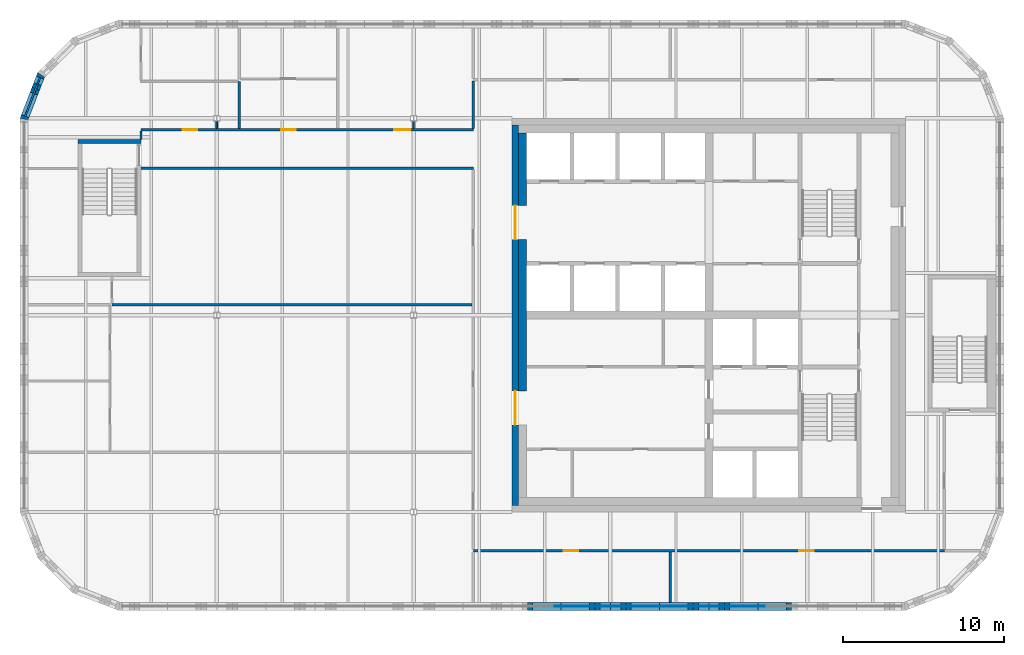
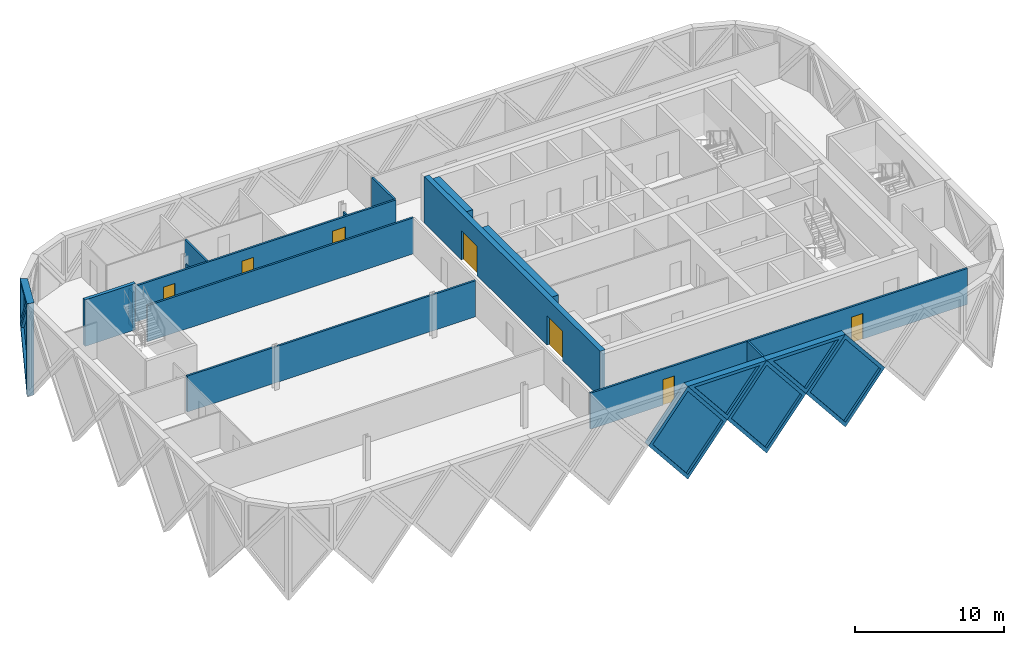
# One storey, part 5 of 12: 21 walls, 7 doors, 7 plates, 14 openings.
"""IFC4 building model written with IfcOpenShell, lengths in metres."""

import ifcopenshell
import ifcopenshell.guid

model = None  # the IFC model being written
_history = None  # IfcOwnerHistory: only IFC2X3 demands one
_inside = {}  # id of a spatial element -> (the spatial element, [elements in it])
_under = {}  # id of a project, library or spatial element -> (it, [spatial elements below it])
_declared = {}  # id of a project -> (the project, [libraries it declares])
_typed = {}  # id of a type object -> (the type object, [elements of that type])
_made_of = {}  # id of a material, layer set ... -> (it, [elements and type objects made of it])


def new_model(schema):
    """Start an empty IFC model of exactly this schema.

    Asked for "IFC4X3", IfcOpenShell would pick the latest addendum, in which some entities
    have other attributes; the version numbers below select the first issue.
    IFC2X3 requires an IfcOwnerHistory on every rooted entity: one is made here for all.
    """
    global model, _history
    if schema == "IFC4X3":
        model = ifcopenshell.file(schema_version=(4, 3, 0, 0))
    else:
        model = ifcopenshell.file(schema=schema)
    _inside.clear()
    _under.clear()
    _declared.clear()
    _typed.clear()
    _made_of.clear()
    _history = None
    if model.schema == "IFC2X3":
        org = make("IfcOrganization", Name="unknown")
        user = make(
            "IfcPersonAndOrganization",
            ThePerson=make("IfcPerson", FamilyName="unknown"),
            TheOrganization=org,
        )
        app = make(
            "IfcApplication",
            ApplicationDeveloper=org,
            Version="unknown",
            ApplicationFullName="unknown",
            ApplicationIdentifier="unknown",
        )
        _history = make(
            "IfcOwnerHistory",
            OwningUser=user,
            OwningApplication=app,
            ChangeAction="ADDED",
            CreationDate=0,
        )
    return model


def make(cls, **values):
    """One entity of the class cls with the attributes given. An attribute that is None is left unset."""
    return model.create_entity(
        cls, **{name: value for name, value in values.items() if value is not None}
    )


def rooted(cls, **values):
    """An entity with a GlobalId (a new one), such as an element, a storey or a relation."""
    return make(cls, GlobalId=ifcopenshell.guid.new(), OwnerHistory=_history, **values)


def si_unit(unit_type, name, prefix=None):
    """IfcSIUnit, for example si_unit("LENGTHUNIT", "METRE", prefix="MILLI")."""
    return make("IfcSIUnit", UnitType=unit_type, Prefix=prefix, Name=name)


def assignment(units):
    """IfcUnitAssignment: the units of a project."""
    return None if units is None else make("IfcUnitAssignment", Units=units)


def point(xyz):
    """IfcCartesianPoint."""
    return None if xyz is None else make("IfcCartesianPoint", Coordinates=xyz)


def direction(xyz):
    """IfcDirection."""
    return None if xyz is None else make("IfcDirection", DirectionRatios=xyz)


def frame(location, z_axis=None, x_axis=None):
    """IfcAxis2Placement3D, a coordinate frame: its origin and axes. An axis left out is left unset."""
    return make(
        "IfcAxis2Placement3D",
        Location=point(location),
        Axis=direction(z_axis),
        RefDirection=direction(x_axis),
    )


def frame_2d(location, x_axis=None):
    """IfcAxis2Placement2D, a coordinate frame in the plane: its origin and x axis."""
    return make(
        "IfcAxis2Placement2D", Location=point(location), RefDirection=direction(x_axis)
    )


def origin():
    """The frame at (0, 0, 0) with its axes left unset."""
    return frame((0.0, 0.0, 0.0))


def place(relative_to, where):
    """IfcLocalPlacement: puts the frame where relative to a parent placement (None: the world)."""
    return make(
        "IfcLocalPlacement", PlacementRelTo=relative_to, RelativePlacement=where
    )


def context(
    kind, dimensions, precision=None, world=None, true_north=None, identifier=None
):
    """IfcGeometricRepresentationContext, for example the 3D "Model" context."""
    return make(
        "IfcGeometricRepresentationContext",
        ContextIdentifier=identifier,
        ContextType=kind,
        CoordinateSpaceDimension=dimensions,
        Precision=precision,
        WorldCoordinateSystem=world,
        TrueNorth=true_north,
    )


def subcontext(parent, identifier, kind, view, scale=None):
    """IfcGeometricRepresentationSubContext, for example "Body" below "Model"."""
    return make(
        "IfcGeometricRepresentationSubContext",
        ContextIdentifier=identifier,
        ContextType=kind,
        ParentContext=parent,
        TargetScale=scale,
        TargetView=view,
    )


def project(units=None, contexts=None):
    """IfcProject with its units and contexts."""
    return rooted(
        "IfcProject",
        Name="project",
        RepresentationContexts=contexts,
        UnitsInContext=assignment(units),
    )


def spatial(cls, under=None, at=None, **own):
    """A site, building, storey or space (cls), placed at a placement, below another one or the project."""
    s = rooted(cls, ObjectPlacement=at, **own)
    if under is not None:
        _under.setdefault(under.id(), (under, []))[1].append(s)
    return s


def polyline(points):
    """IfcPolyline through the points."""
    return make("IfcPolyline", Points=[point(p) for p in points])


def profile(cls, at=None, kind="AREA", **sizes):
    """A parametric profile (cls). Its sizes go by their IFC names, for example OverallWidth=200.0."""
    return make(cls, ProfileType=kind, Position=at, **sizes)


def rectangle(**sizes):
    """IfcRectangleProfileDef."""
    return profile("IfcRectangleProfileDef", **sizes)


def outline(outer, holes=None, kind="AREA"):
    """IfcArbitraryClosedProfileDef: a profile drawn as a closed curve; with holes, ...WithVoids."""
    if holes is None:
        return make("IfcArbitraryClosedProfileDef", ProfileType=kind, OuterCurve=outer)
    return make(
        "IfcArbitraryProfileDefWithVoids",
        ProfileType=kind,
        OuterCurve=outer,
        InnerCurves=holes,
    )


def extrude(swept, where, along, depth):
    """IfcExtrudedAreaSolid: the profile swept, set in the frame where, extruded along a direction by depth."""
    return make(
        "IfcExtrudedAreaSolid",
        SweptArea=swept,
        Position=where,
        ExtrudedDirection=direction(along),
        Depth=depth,
    )


def faces_of(points, faces, orient=None, outer=None):
    """IfcFace entities. A face is a list of loops; a loop is a list of indices into points, from 0.

    orient and outer hold one flag for each loop. By default every Orientation is true, the
    first loop of a face is its IfcFaceOuterBound and the others are IfcFaceBound.
    """
    made = []
    for i, loops in enumerate(faces):
        bounds = []
        for j, loop in enumerate(loops):
            is_outer = j == 0 if outer is None else outer[i][j]
            bounds.append(
                make(
                    "IfcFaceOuterBound" if is_outer else "IfcFaceBound",
                    Bound=make("IfcPolyLoop", Polygon=[points[k] for k in loop]),
                    Orientation=True if orient is None else orient[i][j],
                )
            )
        made.append(make("IfcFace", Bounds=bounds))
    return made


def faceted_brep(points, faces, orient=None, outer=None, voids=None):
    """IfcFacetedBrep: a solid bounded by flat faces; with voids (closed shells), ...WithVoids."""
    shared = [point(p) for p in points]
    hull = make("IfcClosedShell", CfsFaces=faces_of(shared, faces, orient, outer))
    if voids is None:
        return make("IfcFacetedBrep", Outer=hull)
    return make(
        "IfcFacetedBrepWithVoids",
        Outer=hull,
        Voids=[
            make(cls, CfsFaces=faces_of(shared, fs, o, b)) for cls, fs, o, b in voids
        ],
    )


def shape(context_of_items, identifier, shape_type, items):
    """IfcShapeRepresentation: the items that make up one representation, for example the "Body"."""
    return make(
        "IfcShapeRepresentation",
        ContextOfItems=context_of_items,
        RepresentationIdentifier=identifier,
        RepresentationType=shape_type,
        Items=items,
    )


def source(mapping_origin, context_of_items, identifier, shape_type, items):
    """IfcRepresentationMap: a shape defined once, which mapped items show again and again."""
    return make(
        "IfcRepresentationMap",
        MappingOrigin=mapping_origin,
        MappedRepresentation=shape(context_of_items, identifier, shape_type, items),
    )


def transform(
    local_origin,
    x_axis=None,
    y_axis=None,
    z_axis=None,
    scale=None,
    scale2=None,
    scale3=None,
    uniform=True,
):
    """IfcCartesianTransformationOperator3D, or its non-uniform kind. x_axis, y_axis, z_axis: its Axis1, 2, 3."""
    if uniform:
        return make(
            "IfcCartesianTransformationOperator3D",
            Axis1=direction(x_axis),
            Axis2=direction(y_axis),
            LocalOrigin=point(local_origin),
            Scale=scale,
            Axis3=direction(z_axis),
        )
    return make(
        "IfcCartesianTransformationOperator3DnonUniform",
        Axis1=direction(x_axis),
        Axis2=direction(y_axis),
        LocalOrigin=point(local_origin),
        Scale=scale,
        Axis3=direction(z_axis),
        Scale2=scale2,
        Scale3=scale3,
    )


def mapped(mapping_source, mapping_target):
    """IfcMappedItem: shows the shape of a source again, moved by a transform."""
    return make(
        "IfcMappedItem", MappingSource=mapping_source, MappingTarget=mapping_target
    )


def material(Name=None, Category=None):
    """IfcMaterial."""
    return make("IfcMaterial", Name=Name, Category=Category)


def layer(
    of_material, thickness, ventilated=None, Name=None, Category=None, Priority=None
):
    """IfcMaterialLayer: one layer of a wall or slab, of a material (None: an air gap)."""
    return make(
        "IfcMaterialLayer",
        Material=of_material,
        LayerThickness=thickness,
        IsVentilated=ventilated,
        Name=Name,
        Category=Category,
        Priority=Priority,
    )


def layer_set(layers, Name=None):
    """IfcMaterialLayerSet."""
    return make("IfcMaterialLayerSet", MaterialLayers=layers, LayerSetName=Name)


def made_of(thing, what):
    """Note that an element or type object is made of a material, layer set ...; save() writes the relation."""
    if what is not None:
        _made_of.setdefault(what.id(), (what, []))[1].append(thing)
    return thing


def type_object(cls, material=None, **own):
    """A type object (cls), such as IfcWallType, which elements share."""
    return made_of(rooted(cls, **own), material)


def element(
    cls,
    number,
    at=None,
    inside=None,
    cuts=None,
    type_object=None,
    material=None,
    context=None,
    identifier="Body",
    shape_type=None,
    held_by="IfcProductDefinitionShape",
    body=None,
    shapes=None,
    **own,
):
    """One element of the class cls, such as IfcWall. Its Tag is "e" and its number.

    at: its placement. inside: the storey or other place that contains it. cuts: it is an
    opening in that element (IfcRelVoidsElement). A single representation is given by context,
    identifier, shape_type and body (its items); several are given by shapes. held_by: the class
    of the entity that holds the representations. save() writes the other relations.
    """
    e = rooted(cls, Tag="e%d" % number, ObjectPlacement=at, **own)
    if body is not None:
        shapes = [shape(context, identifier, shape_type, body)]
    if shapes is not None:
        e.Representation = make(held_by, Representations=shapes)
    if inside is not None:
        _inside.setdefault(inside.id(), (inside, []))[1].append(e)
    if cuts is not None:
        rooted(
            "IfcRelVoidsElement", RelatingBuildingElement=cuts, RelatedOpeningElement=e
        )
    if type_object is not None:
        _typed.setdefault(type_object.id(), (type_object, []))[1].append(e)
    return made_of(e, material)


def fill(opening, filler):
    """IfcRelFillsElement: the door or window that sits in an opening."""
    return rooted(
        "IfcRelFillsElement",
        RelatingOpeningElement=opening,
        RelatedBuildingElement=filler,
    )


def aggregate(whole, parts):
    """IfcRelAggregates: a whole, such as a stair, and the parts it consists of."""
    return rooted("IfcRelAggregates", RelatingObject=whole, RelatedObjects=parts)


def save(model, path):
    """Write the relations noted so far, then the file.

    IfcRelAggregates (storeys below a building ...), IfcRelContainedInSpatialStructure (elements
    in a storey), IfcRelDefinesByType, IfcRelAssociatesMaterial and IfcRelDeclares: one each for
    every whole, place, type object, material and project.
    """
    for whole, parts in _under.values():
        aggregate(whole, parts)
    for where, things in _inside.values():
        rooted(
            "IfcRelContainedInSpatialStructure",
            RelatedElements=things,
            RelatingStructure=where,
        )
    for kind, things in _typed.values():
        rooted("IfcRelDefinesByType", RelatedObjects=things, RelatingType=kind)
    for what, things in _made_of.values():
        rooted("IfcRelAssociatesMaterial", RelatedObjects=things, RelatingMaterial=what)
    for by, libraries in _declared.values():
        rooted("IfcRelDeclares", RelatingContext=by, RelatedDefinitions=libraries)
    model.write(path)


model = new_model("IFC4")

# Units and contexts
model_context = context("Model", 3, precision=1e-05, world=origin(), true_north=direction((0.0, 1.0)))
body_context = subcontext(model_context, "Body", "Model", "MODEL_VIEW")
ifc_project = project(units=[si_unit("LENGTHUNIT", "METRE"), si_unit("AREAUNIT", "SQUARE_METRE"), si_unit("VOLUMEUNIT", "CUBIC_METRE"), si_unit("PLANEANGLEUNIT", "RADIAN"), si_unit("MASSUNIT", "GRAM", prefix="KILO")], contexts=[model_context])

# Site, building, storey
site_placement = place(None, origin())
site = spatial("IfcSite", under=ifc_project, at=site_placement, CompositionType="ELEMENT")
building_placement = place(site_placement, origin())
building = spatial("IfcBuilding", under=site, at=building_placement, Name="Tessera Gate Towers", CompositionType="ELEMENT")
storey_placement = place(building_placement, frame((0.0, 0.0, 255.89990234375)))
storey = spatial("IfcBuildingStorey", under=building, at=storey_placement, Name="L64", CompositionType="ELEMENT", Elevation=255.89990234375)

# Wall
ifc_material_1 = material(Name="Concrete C40/50", Category="concrete")
ifc_layer_1 = layer(ifc_material_1, 0.25)
ifc_layer_set_1 = layer_set([ifc_layer_1], Name="CORE ENCLOSURE WALL 250")
wall_type_1 = type_object("IfcWallType", Name="CORE ENCLOSURE WALL 250", PredefinedType="SOLIDWALL", material=ifc_layer_set_1)
wall_1_placement = place(storey_placement, frame((3.60009765625, 47.375, 0.0), z_axis=(0.0, 0.0, 1.0), x_axis=(1.0, 0.0, 0.0)))
element("IfcWall", 1, at=wall_1_placement, inside=storey, type_object=wall_type_1, Name="L64 ST3 enclosure wall", PredefinedType="SOLIDWALL", context=body_context, shape_type="SweptSolid", body=[
    extrude(rectangle(XDim=3.89990234375, YDim=0.25, at=frame_2d((1.949951171875, 0.0))), origin(), (0.0, 0.0, 1.0), 3.800048828125),
])

# Wall, openings, doors
ifc_material_2 = material(Name="Concrete C40/50", Category="concrete")
ifc_layer_2 = layer(ifc_material_2, 0.39990234375)
ifc_layer_set_2 = layer_set([ifc_layer_2], Name="CORE SHEAR WALL 400 C40/50")
wall_type_2 = type_object("IfcWallType", Name="CORE SHEAR WALL 400 C40/50", PredefinedType="SHEAR", material=ifc_layer_set_2)
wall_2_placement = place(storey_placement, frame((30.699951171875, 24.800048828125, 0.0), z_axis=(0.0, 0.0, 1.0), x_axis=(0.0, 1.0, 0.0)))
wall_2 = element("IfcWall", 2, at=wall_2_placement, inside=storey, type_object=wall_type_2, Name="Core wall W L64", PredefinedType="SHEAR", context=body_context, shape_type="SweptSolid", body=[
    extrude(rectangle(XDim=23.599853515625, YDim=0.39990234375, at=frame_2d((11.7998046875, 0.0))), origin(), (0.0, 0.0, 1.0), 3.800048828125),
])
shared_shape_1 = source(origin(), body_context, "Body", "SweptSolid", [
    extrude(rectangle(XDim=2.10009765625, YDim=2.39990234375, at=frame_2d((1.050048828125, 1.199951171875))), frame((0.0, 0.2099609375, 0.0), z_axis=(0.0, -1.0, 0.0), x_axis=(1.0, 0.0, 0.0)), (0.0, 0.0, 1.0), 0.419921875),
])
opening_1_placement = place(wall_2_placement, frame((5.0, 0.0, 0.0)))
opening_1 = element("IfcOpeningElement", 3, at=opening_1_placement, cuts=wall_2, Name="Opening DD-T1-38-02", PredefinedType="OPENING", context=body_context, shape_type="MappedRepresentation", body=[
    mapped(shared_shape_1, transform((0.0, 0.0, 0.0), scale=1.0)),
])
opening_2_placement = place(wall_2_placement, frame((16.5, 0.0, 0.0)))
opening_2 = element("IfcOpeningElement", 4, at=opening_2_placement, cuts=wall_2, Name="Opening DD-T1-38-03", PredefinedType="OPENING", context=body_context, shape_type="MappedRepresentation", body=[
    mapped(shared_shape_1, transform((0.0, 0.0, 0.0), scale=1.0)),
])
ifc_material_3 = material(Name="Hollow steel fire door", Category="steel")
door_type_1 = type_object("IfcDoorType", Name="CORE DOOR DD 2100x2400", OperationType="NOTDEFINED", PredefinedType="DOOR", material=ifc_material_3)
shared_shape_2 = source(origin(), body_context, "Body", "SweptSolid", [
    extrude(rectangle(XDim=2.10009765625, YDim=2.39990234375, at=frame_2d((1.050048828125, 1.199951171875))), frame((0.0, 0.02490234375, 0.0), z_axis=(0.0, -1.0, 0.0), x_axis=(1.0, 0.0, 0.0)), (0.0, 0.0, 1.0), 0.050048828125),
])
door_1_placement = place(opening_1_placement, origin())
door_1 = element("IfcDoor", 5, at=door_1_placement, inside=storey, type_object=door_type_1, Name="Core entrance door", OperationType="DOUBLE_DOOR_SINGLE_SWING", OverallHeight=2.39990234375, OverallWidth=2.10009765625, PredefinedType="DOOR", context=body_context, shape_type="MappedRepresentation", body=[
    mapped(shared_shape_2, transform((0.0, 0.0, 0.0), scale=1.0)),
])
fill(opening_1, door_1)
door_2_placement = place(opening_2_placement, origin())
door_2 = element("IfcDoor", 6, at=door_2_placement, inside=storey, type_object=door_type_1, Name="Core entrance door", OperationType="DOUBLE_DOOR_SINGLE_SWING", OverallHeight=2.39990234375, OverallWidth=2.10009765625, PredefinedType="DOOR", context=body_context, shape_type="MappedRepresentation", body=[
    mapped(shared_shape_2, transform((0.0, 0.0, 0.0), scale=1.0)),
])
fill(opening_2, door_2)

# Walls
ifc_material_4 = material(Name="Concrete C40/50", Category="concrete")
ifc_layer_3 = layer(ifc_material_4, 0.5)
ifc_layer_set_3 = layer_set([ifc_layer_3], Name="CORE WALL THICKENING 500")
wall_type_3 = type_object("IfcWallType", Name="CORE WALL THICKENING 500", PredefinedType="SOLIDWALL", material=ifc_layer_set_3)
wall_3_placement = place(storey_placement, frame((31.14990234375, 31.89990234375, 0.0), z_axis=(0.0, 0.0, 1.0), x_axis=(0.0, 1.0, 0.0)))
element("IfcWall", 7, at=wall_3_placement, inside=storey, type_object=wall_type_3, Name="Core wall thickening W L64", PredefinedType="SOLIDWALL", context=body_context, shape_type="SweptSolid", body=[
    extrude(rectangle(XDim=9.400146484375, YDim=0.5, at=frame_2d((4.7001953125, 0.0))), origin(), (0.0, 0.0, 1.0), 3.800048828125),
])
wall_4_placement = place(storey_placement, frame((31.14990234375, 43.39990234375, 0.0), z_axis=(0.0, 0.0, 1.0), x_axis=(0.0, 1.0, 0.0)))
element("IfcWall", 8, at=wall_4_placement, inside=storey, type_object=wall_type_3, Name="Core wall thickening W L64", PredefinedType="SOLIDWALL", context=body_context, shape_type="SweptSolid", body=[
    extrude(rectangle(XDim=4.5, YDim=0.5, at=frame_2d((2.25, 0.0))), origin(), (0.0, 0.0, 1.0), 3.800048828125),
])

# Wall, openings, doors
ifc_material_5 = material(Name="Gypsum board on steel studs, mineral wool", Category="steel")
ifc_layer_4 = layer(ifc_material_5, 0.14990234375)
ifc_layer_set_4 = layer_set([ifc_layer_4], Name="CORRIDOR WALL 150")
wall_type_4 = type_object("IfcWallType", Name="CORRIDOR WALL 150", PredefinedType="PARTITIONING", material=ifc_layer_set_4)
wall_5_placement = place(storey_placement, frame((57.300048828125, 22.0, 0.0), z_axis=(0.0, 0.0, 1.0), x_axis=(-1.0, 0.0, 0.0)))
wall_5 = element("IfcWall", 9, at=wall_5_placement, inside=storey, type_object=wall_type_4, Name="T1-L64-PW-003", PredefinedType="PARTITIONING", context=body_context, shape_type="SweptSolid", body=[
    extrude(rectangle(XDim=29.199951171875, YDim=0.14990234375, at=frame_2d((14.60009765625, 0.0))), origin(), (0.0, 0.0, 1.0), 2.947021484375),
])
shared_shape_3 = source(origin(), body_context, "Body", "SweptSolid", [
    extrude(rectangle(XDim=0.89990234375, YDim=2.10009765625, at=frame_2d((0.449951171875, 1.050048828125))), frame((0.0, 0.0849609375, 0.0), z_axis=(0.0, -1.0, 0.0), x_axis=(1.0, 0.0, 0.0)), (0.0, 0.0, 1.0), 0.169921875),
])
opening_3_placement = place(wall_5_placement, frame((22.699951171875, 0.0, 0.0)))
opening_3 = element("IfcOpeningElement", 10, at=opening_3_placement, cuts=wall_5, Name="Opening D890FD60-A22-07", PredefinedType="OPENING", context=body_context, shape_type="MappedRepresentation", body=[
    mapped(shared_shape_3, transform((0.0, 0.0, 0.0), scale=1.0)),
])
opening_4_placement = place(wall_5_placement, frame((8.10009765625, 0.0, 0.0)))
opening_4 = element("IfcOpeningElement", 11, at=opening_4_placement, cuts=wall_5, Name="Opening D890FD60-A22-08", PredefinedType="OPENING", context=body_context, shape_type="MappedRepresentation", body=[
    mapped(shared_shape_3, transform((0.0, 0.0, 0.0), scale=1.0)),
])
ifc_material_6 = material(Name="Timber door leaf in steel frame", Category="steel")
door_type_2 = type_object("IfcDoorType", Name="CORRIDOR DOOR 900 FD60", OperationType="NOTDEFINED", PredefinedType="DOOR", material=ifc_material_6)
shared_shape_4 = source(origin(), body_context, "Body", "SweptSolid", [
    extrude(rectangle(XDim=0.89990234375, YDim=2.10009765625, at=frame_2d((0.449951171875, 1.050048828125))), frame((0.0, 0.02490234375, 0.0), z_axis=(0.0, -1.0, 0.0), x_axis=(1.0, 0.0, 0.0)), (0.0, 0.0, 1.0), 0.050048828125),
])
door_3_placement = place(opening_3_placement, origin())
door_3 = element("IfcDoor", 12, at=door_3_placement, inside=storey, type_object=door_type_2, Name="T1-L64-PD-014", OperationType="SINGLE_SWING_RIGHT", OverallHeight=2.10009765625, OverallWidth=0.89990234375, PredefinedType="DOOR", context=body_context, shape_type="MappedRepresentation", body=[
    mapped(shared_shape_4, transform((0.0, 0.0, 0.0), scale=1.0)),
])
fill(opening_3, door_3)
door_4_placement = place(opening_4_placement, origin())
door_4 = element("IfcDoor", 13, at=door_4_placement, inside=storey, type_object=door_type_2, Name="T1-L64-PD-015", OperationType="SINGLE_SWING_RIGHT", OverallHeight=2.10009765625, OverallWidth=0.89990234375, PredefinedType="DOOR", context=body_context, shape_type="MappedRepresentation", body=[
    mapped(shared_shape_4, transform((0.0, 0.0, 0.0), scale=1.0)),
])
fill(opening_4, door_4)

# Walls
wall_6_placement = place(storey_placement, frame((7.5, 45.699951171875, 0.0), z_axis=(0.0, 0.0, 1.0), x_axis=(1.0, 0.0, 0.0)))
element("IfcWall", 14, at=wall_6_placement, inside=storey, type_object=wall_type_4, Name="T1-L64-PW-015", PredefinedType="PARTITIONING", context=body_context, shape_type="SweptSolid", body=[
    extrude(rectangle(XDim=20.60009765625, YDim=0.14990234375, at=frame_2d((10.300048828125, 0.0))), origin(), (0.0, 0.0, 1.0), 2.947021484375),
])
wall_7_placement = place(storey_placement, frame((7.5, 47.5, 0.0), z_axis=(0.0, 0.0, 1.0), x_axis=(0.0, 1.0, 0.0)))
element("IfcWall", 15, at=wall_7_placement, inside=storey, type_object=wall_type_4, Name="T1-L64-PW-016", PredefinedType="PARTITIONING", context=body_context, shape_type="SweptSolid", body=[
    extrude(rectangle(XDim=0.52392578125, YDim=0.14990234375, at=frame_2d((0.261962890625, 0.0))), origin(), (0.0, 0.0, 1.0), 2.947021484375),
])

# Wall, openings, doors
wall_8_placement = place(storey_placement, frame((7.5, 48.10009765625, 0.0), z_axis=(0.0, 0.0, 1.0), x_axis=(1.0, 0.0, 0.0)))
wall_8 = element("IfcWall", 16, at=wall_8_placement, inside=storey, type_object=wall_type_4, Name="T1-L64-PW-017", PredefinedType="PARTITIONING", context=body_context, shape_type="SweptSolid", body=[
    extrude(rectangle(XDim=20.60009765625, YDim=0.14990234375, at=frame_2d((10.300048828125, 0.0))), origin(), (0.0, 0.0, 1.0), 2.947021484375),
])
opening_5_placement = place(wall_8_placement, frame((8.700927734375, 0.0, 0.0)))
opening_5 = element("IfcOpeningElement", 17, at=opening_5_placement, cuts=wall_8, Name="Opening D890FD60-A22-01", PredefinedType="OPENING", context=body_context, shape_type="MappedRepresentation", body=[
    mapped(shared_shape_3, transform((0.0, 0.0, 0.0), scale=1.0)),
])
opening_6_placement = place(wall_8_placement, frame((2.60009765625, 0.0, 0.0)))
opening_6 = element("IfcOpeningElement", 18, at=opening_6_placement, cuts=wall_8, Name="Opening D890FD60-A22-02", PredefinedType="OPENING", context=body_context, shape_type="MappedRepresentation", body=[
    mapped(shared_shape_3, transform((0.0, 0.0, 0.0), scale=1.0)),
])
shared_shape_5 = source(origin(), body_context, "Body", "SweptSolid", [
    extrude(rectangle(XDim=1.0, YDim=2.10009765625, at=frame_2d((0.5, 1.050048828125))), frame((0.0, 0.0849609375, 0.0), z_axis=(0.0, -1.0, 0.0), x_axis=(1.0, 0.0, 0.0)), (0.0, 0.0, 1.0), 0.169921875),
])
opening_7_placement = place(wall_8_placement, frame((15.699951171875, 0.0, 0.0)))
opening_7 = element("IfcOpeningElement", 19, at=opening_7_placement, cuts=wall_8, Name="Opening D2100FD60-A22-02", PredefinedType="OPENING", context=body_context, shape_type="MappedRepresentation", body=[
    mapped(shared_shape_5, transform((0.0, 0.0, 0.0), scale=1.0)),
])
door_5_placement = place(opening_5_placement, origin())
door_5 = element("IfcDoor", 20, at=door_5_placement, inside=storey, type_object=door_type_2, Name="T1-L64-PD-006", OperationType="SINGLE_SWING_LEFT", OverallHeight=2.10009765625, OverallWidth=0.89990234375, PredefinedType="DOOR", context=body_context, shape_type="MappedRepresentation", body=[
    mapped(shared_shape_4, transform((0.0, 0.0, 0.0), scale=1.0)),
])
fill(opening_5, door_5)
door_6_placement = place(opening_6_placement, origin())
door_6 = element("IfcDoor", 21, at=door_6_placement, inside=storey, type_object=door_type_2, Name="T1-L64-PD-007", OperationType="SINGLE_SWING_LEFT", OverallHeight=2.10009765625, OverallWidth=0.89990234375, PredefinedType="DOOR", context=body_context, shape_type="MappedRepresentation", body=[
    mapped(shared_shape_4, transform((0.0, 0.0, 0.0), scale=1.0)),
])
fill(opening_6, door_6)
ifc_material_7 = material(Name="Timber door leaf in steel frame", Category="steel")
door_type_3 = type_object("IfcDoorType", Name="TENANCY ENTRANCE DOOR 1000 FD60", OperationType="NOTDEFINED", PredefinedType="DOOR", material=ifc_material_7)
shared_shape_6 = source(origin(), body_context, "Body", "SweptSolid", [
    extrude(rectangle(XDim=1.0, YDim=2.10009765625, at=frame_2d((0.5, 1.050048828125))), frame((0.0, 0.02490234375, 0.0), z_axis=(0.0, -1.0, 0.0), x_axis=(1.0, 0.0, 0.0)), (0.0, 0.0, 1.0), 0.050048828125),
])
door_7_placement = place(opening_7_placement, origin())
door_7 = element("IfcDoor", 22, at=door_7_placement, inside=storey, type_object=door_type_3, Name="T1-L64-PD-009", OperationType="SINGLE_SWING_LEFT", OverallHeight=2.10009765625, OverallWidth=1.0, PredefinedType="DOOR", context=body_context, shape_type="MappedRepresentation", body=[
    mapped(shared_shape_6, transform((0.0, 0.0, 0.0), scale=1.0)),
])
fill(opening_7, door_7)

# Walls
wall_9_placement = place(storey_placement, frame((28.10009765625, 48.176025390625, 0.0), z_axis=(0.0, 0.0, 1.0), x_axis=(0.0, 1.0, 0.0)))
element("IfcWall", 23, at=wall_9_placement, inside=storey, type_object=wall_type_4, Name="T1-L64-PW-020", PredefinedType="PARTITIONING", context=body_context, shape_type="SweptSolid", body=[
    extrude(rectangle(XDim=2.947998046875, YDim=0.14990234375, at=frame_2d((1.47412109375, 0.0))), origin(), (0.0, 0.0, 1.0), 2.947021484375),
])
ifc_material_8 = material(Name="Gypsum board on steel studs", Category="steel")
ifc_layer_5 = layer(ifc_material_8, 0.10009765625)
ifc_layer_set_5 = layer_set([ifc_layer_5], Name="PARTITION 100")
wall_type_5 = type_object("IfcWallType", Name="PARTITION 100", PredefinedType="PARTITIONING", material=ifc_layer_set_5)
for number, where, z_axis, x_axis, name in (
    (24, (12.199951171875, 48.60009765625, 0.0), (0.0, 0.0, 1.0), (0.0, -1.0, 0.0), "T1-L64-PW-021"),
    (25, (24.39990234375, 48.60009765625, 0.0), (0.0, 0.0, 1.0), (0.0, -1.0, 0.0), "T1-L64-PW-022"),
):
    element("IfcWall", number, at=place(storey_placement, frame(where, z_axis=z_axis, x_axis=x_axis)), inside=storey, type_object=wall_type_5, Name=name, PredefinedType="PARTITIONING", context=body_context, shape_type="SweptSolid", body=[
        extrude(rectangle(XDim=0.425048828125, YDim=0.10009765625, at=frame_2d((0.21240234375, 0.0))), origin(), (0.0, 0.0, 1.0), 2.947021484375),
    ])
ifc_material_9 = material(Name="Gypsum board on steel studs, mineral wool", Category="steel")
ifc_layer_6 = layer(ifc_material_9, 0.14990234375)
ifc_layer_set_6 = layer_set([ifc_layer_6], Name="TENANCY WALL 150")
wall_type_6 = type_object("IfcWallType", Name="TENANCY WALL 150", PredefinedType="PARTITIONING", material=ifc_layer_set_6)
wall_10_placement = place(storey_placement, frame((40.300048828125, 18.800048828125, 0.0), z_axis=(0.0, 0.0, 1.0), x_axis=(0.0, 1.0, 0.0)))
element("IfcWall", 26, at=wall_10_placement, inside=storey, type_object=wall_type_6, Name="T1-L64-PW-002", PredefinedType="PARTITIONING", context=body_context, shape_type="SweptSolid", body=[
    extrude(rectangle(XDim=3.1240234375, YDim=0.14990234375, at=frame_2d((1.56201171875, 0.0))), origin(), (0.0, 0.0, 1.0), 2.947021484375),
])
wall_11_placement = place(storey_placement, frame((5.699951171875, 37.25, 0.0), z_axis=(0.0, 0.0, 1.0), x_axis=(1.0, 0.0, 0.0)))
element("IfcWall", 27, at=wall_11_placement, inside=storey, type_object=wall_type_6, Name="T1-L64-PW-012", PredefinedType="PARTITIONING", context=body_context, shape_type="SweptSolid", body=[
    extrude(rectangle(XDim=22.323974609375, YDim=0.14990234375, at=frame_2d((11.162109375, 0.0))), origin(), (0.0, 0.0, 1.0), 2.947021484375),
])
wall_12_placement = place(storey_placement, frame((13.60009765625, 48.176025390625, 0.0), z_axis=(0.0, 0.0, 1.0), x_axis=(0.0, 1.0, 0.0)))
element("IfcWall", 28, at=wall_12_placement, inside=storey, type_object=wall_type_6, Name="T1-L64-PW-018", PredefinedType="PARTITIONING", context=body_context, shape_type="SweptSolid", body=[
    extrude(rectangle(XDim=2.924072265625, YDim=0.14990234375, at=frame_2d((1.4619140625, 0.0))), origin(), (0.0, 0.0, 1.0), 2.947021484375),
])

# Wall, opening, plate
ifc_material_10 = material(Name="Precast concrete C60/75 white", Category="concrete")
ifc_layer_7 = layer(ifc_material_10, 0.5)
ifc_layer_set_7 = layer_set([ifc_layer_7], Name="TS3 corner tessera")
wall_type_7 = type_object("IfcWallType", Name="TS3 corner tessera", PredefinedType="SOLIDWALL", material=ifc_layer_set_7)
shared_shape_7 = source(origin(), body_context, "Body", "Brep", [
    faceted_brep([(2.950439453125, -0.25, 0.0), (2.9970703125, -0.25, 0.05908203125), (2.9970703125, -0.25, 7.540771484375), (2.950439453125, -0.25, 7.599853515625), (0.0, -0.25, 3.7998046875), (0.052978515625, 0.25, 3.867919921875), (2.904052734375, 0.25, 7.5400390625), (2.904052734375, 0.25, 0.059814453125), (0.052978515625, 0.25, 3.731689453125), (2.950439453125, 0.00048828125, 0.0), (2.950439453125, 0.00048828125, 7.599853515625), (0.0, 0.0, 3.7998046875)], [[[0, 1, 2, 3, 4]], [[5, 6, 7, 8]], [[1, 0, 9]], [[10, 3, 2]], [[6, 5, 11, 4, 3, 10]], [[8, 7, 9, 0, 4, 11]], [[8, 11, 5]], [[1, 9, 7, 6, 10, 2]]]),
])
wall_13_placement = place(storey_placement, frame((1.31201171875, 51.50634765625, -3.7998046875), z_axis=(0.0, 0.0, 1.0), x_axis=(-0.359944998003, -0.932973525033, 0.0)))
wall_13 = element("IfcWall", 29, at=wall_13_placement, inside=storey, type_object=wall_type_7, Name="Precast corner tessera T1 TS3-1459", PredefinedType="SOLIDWALL", context=body_context, shape_type="MappedRepresentation", body=[
    mapped(shared_shape_7, transform((0.0, 0.0, 0.0), scale=1.0)),
])
shared_shape_8 = source(origin(), body_context, "Body", "SweptSolid", [
    extrude(outline(polyline([(2.75048828125, 6.9345703125), (0.31640625, 3.7998046875), (2.75048828125, 0.6650390625), (2.75048828125, 6.9345703125)])), frame((0.0, 0.260009765625, 0.0), z_axis=(0.0, -1.0, 0.0), x_axis=(1.0, 0.0, 0.0)), (0.0, 0.0, 1.0), 0.52001953125),
])
opening_8_placement = place(wall_13_placement, origin())
opening_8 = element("IfcOpeningElement", 30, at=opening_8_placement, cuts=wall_13, Name="Opening T1-PL2-2300", PredefinedType="OPENING", context=body_context, shape_type="MappedRepresentation", body=[
    mapped(shared_shape_8, transform((0.0, 0.0, 0.0), scale=1.0)),
])
ifc_material_11 = material(Name="Low-e laminated glass", Category="glass")
ifc_layer_8 = layer(ifc_material_11, 0.06005859375)
ifc_layer_set_8 = layer_set([ifc_layer_8], Name="PL2 rhombic pane")
plate_type_1 = type_object("IfcPlateType", Name="PL2 rhombic pane", PredefinedType="SHEET", material=ifc_layer_set_8)
shared_shape_9 = source(origin(), body_context, "Body", "SweptSolid", [
    extrude(outline(polyline([(2.75048828125, 6.9345703125), (0.31640625, 3.7998046875), (2.75048828125, 0.6650390625), (2.75048828125, 6.9345703125)])), frame((0.0, 0.030029296875, 0.0), z_axis=(0.0, -1.0, 0.0), x_axis=(1.0, 0.0, 0.0)), (0.0, 0.0, 1.0), 0.06005859375),
])
plate_1_placement = place(opening_8_placement, origin())
plate_1 = element("IfcPlate", 31, at=plate_1_placement, inside=storey, type_object=plate_type_1, Name="Glass pane T1 PL2-2300", PredefinedType="SHEET", context=body_context, shape_type="MappedRepresentation", body=[
    mapped(shared_shape_9, transform((0.0, 0.0, 0.0), scale=1.0)),
])
fill(opening_8, plate_1)

ifc_material_12 = material(Name="Precast concrete C60/75 white", Category="concrete")
ifc_layer_9 = layer(ifc_material_12, 0.5)
ifc_layer_set_9 = layer_set([ifc_layer_9], Name="TS1 tessera")
wall_type_8 = type_object("IfcWallType", Name="TS1 tessera", PredefinedType="SOLIDWALL", material=ifc_layer_set_9)
shared_shape_10 = source(origin(), body_context, "Body", "Brep", [
    faceted_brep([(3.050048828125, -0.25, 0.0), (6.099853515625, -0.25, 3.799560546875), (6.099853515625, -0.25, 3.800048828125), (3.050048828125, -0.25, 7.599853515625), (0.0, -0.25, 3.7998046875), (0.0, 0.25, 3.7998046875), (3.050048828125, 0.25, 7.599853515625), (6.099853515625, 0.25, 3.800048828125), (6.099853515625, 0.25, 3.799560546875), (3.050048828125, 0.25, 0.0)], [[[0, 1, 2, 3, 4]], [[5, 6, 7, 8, 9]], [[9, 8, 1, 0]], [[7, 6, 3, 2]], [[6, 5, 4, 3]], [[5, 9, 0, 4]], [[1, 8, 7, 2]]]),
])
wall_14_placement = place(storey_placement, frame((36.60009765625, 18.550048828125, -3.7998046875), z_axis=(0.0, 0.0, 1.0), x_axis=(1.0, 0.0, 0.0)))
wall_14 = element("IfcWall", 32, at=wall_14_placement, inside=storey, type_object=wall_type_8, Name="Precast tessera T1 TS1-1128", PredefinedType="SOLIDWALL", context=body_context, shape_type="MappedRepresentation", body=[
    mapped(shared_shape_10, transform((0.0, 0.0, 0.0), scale=1.0)),
])
shared_shape_11 = source(origin(), body_context, "Body", "SweptSolid", [
    extrude(outline(polyline([(3.050048828125, 0.3994140625), (5.779541015625, 3.7998046875), (3.050048828125, 7.200439453125), (0.320556640625, 3.7998046875), (3.050048828125, 0.3994140625)])), frame((0.0, 0.260009765625, 0.0), z_axis=(0.0, -1.0, 0.0), x_axis=(1.0, 0.0, 0.0)), (0.0, 0.0, 1.0), 0.52001953125),
])
opening_9_placement = place(wall_14_placement, origin())
opening_9 = element("IfcOpeningElement", 33, at=opening_9_placement, cuts=wall_14, Name="Opening T1-PL2-2276", PredefinedType="OPENING", context=body_context, shape_type="MappedRepresentation", body=[
    mapped(shared_shape_11, transform((0.0, 0.0, 0.0), scale=1.0)),
])
shared_shape_12 = source(origin(), body_context, "Body", "SweptSolid", [
    extrude(outline(polyline([(3.050048828125, 0.3994140625), (5.779541015625, 3.7998046875), (3.050048828125, 7.200439453125), (0.320556640625, 3.7998046875), (3.050048828125, 0.3994140625)])), frame((0.0, 0.030029296875, 0.0), z_axis=(0.0, -1.0, 0.0), x_axis=(1.0, 0.0, 0.0)), (0.0, 0.0, 1.0), 0.06005859375),
])
plate_2_placement = place(opening_9_placement, origin())
plate_2 = element("IfcPlate", 34, at=plate_2_placement, inside=storey, type_object=plate_type_1, Name="Glass pane T1 PL2-2276", PredefinedType="SHEET", context=body_context, shape_type="MappedRepresentation", body=[
    mapped(shared_shape_12, transform((0.0, 0.0, 0.0), scale=1.0)),
])
fill(opening_9, plate_2)

shared_shape_13 = source(origin(), body_context, "Body", "SweptSolid", [
    extrude(outline(polyline([(3.050048828125, 0.0), (6.10009765625, 3.7998046875), (3.050048828125, 7.599853515625), (0.0, 3.7998046875), (3.050048828125, 0.0)])), frame((0.0, 0.25, 0.0), z_axis=(0.0, -1.0, 0.0), x_axis=(1.0, 0.0, 0.0)), (0.0, 0.0, 1.0), 0.5),
])
wall_15_placement = place(storey_placement, frame((30.5, 18.550048828125, -3.7998046875), z_axis=(0.0, 0.0, 1.0), x_axis=(1.0, 0.0, 0.0)))
wall_15 = element("IfcWall", 35, at=wall_15_placement, inside=storey, type_object=wall_type_8, Name="Precast tessera T1 TS1-1127", PredefinedType="SOLIDWALL", context=body_context, shape_type="MappedRepresentation", body=[
    mapped(shared_shape_13, transform((0.0, 0.0, 0.0), scale=1.0)),
])
opening_10_placement = place(wall_15_placement, origin())
opening_10 = element("IfcOpeningElement", 36, at=opening_10_placement, cuts=wall_15, Name="Opening T1-PL2-2275", PredefinedType="OPENING", context=body_context, shape_type="MappedRepresentation", body=[
    mapped(shared_shape_11, transform((0.0, 0.0, 0.0), scale=1.0)),
])
plate_3_placement = place(opening_10_placement, origin())
plate_3 = element("IfcPlate", 37, at=plate_3_placement, inside=storey, type_object=plate_type_1, Name="Glass pane T1 PL2-2275", PredefinedType="SHEET", context=body_context, shape_type="MappedRepresentation", body=[
    mapped(shared_shape_12, transform((0.0, 0.0, 0.0), scale=1.0)),
])
fill(opening_10, plate_3)

wall_16_placement = place(storey_placement, frame((42.699951171875, 18.550048828125, -3.7998046875), z_axis=(0.0, 0.0, 1.0), x_axis=(1.0, 0.0, 0.0)))
wall_16 = element("IfcWall", 38, at=wall_16_placement, inside=storey, type_object=wall_type_8, Name="Precast tessera T1 TS1-1129", PredefinedType="SOLIDWALL", context=body_context, shape_type="MappedRepresentation", body=[
    mapped(shared_shape_13, transform((0.0, 0.0, 0.0), scale=1.0)),
])
opening_11_placement = place(wall_16_placement, origin())
opening_11 = element("IfcOpeningElement", 39, at=opening_11_placement, cuts=wall_16, Name="Opening T1-PL2-2277", PredefinedType="OPENING", context=body_context, shape_type="MappedRepresentation", body=[
    mapped(shared_shape_11, transform((0.0, 0.0, 0.0), scale=1.0)),
])
plate_4_placement = place(opening_11_placement, origin())
plate_4 = element("IfcPlate", 40, at=plate_4_placement, inside=storey, type_object=plate_type_1, Name="Glass pane T1 PL2-2277", PredefinedType="SHEET", context=body_context, shape_type="MappedRepresentation", body=[
    mapped(shared_shape_12, transform((0.0, 0.0, 0.0), scale=1.0)),
])
fill(opening_11, plate_4)

ifc_material_13 = material(Name="Precast concrete C60/75 white", Category="concrete")
ifc_layer_10 = layer(ifc_material_13, 0.5)
ifc_layer_set_10 = layer_set([ifc_layer_10], Name="TS2 half tessera")
wall_type_9 = type_object("IfcWallType", Name="TS2 half tessera", PredefinedType="SOLIDWALL", material=ifc_layer_set_10)
shared_shape_14 = source(origin(), body_context, "Body", "Brep", [
    faceted_brep([(3.050048828125, -0.25, 0.0), (6.099853515625, -0.25, 3.7998046875), (6.099853515625, -0.25, 3.800048828125), (0.0, -0.25, 3.800048828125), (0.0, 0.25, 3.800048828125), (6.099853515625, 0.25, 3.800048828125), (6.099853515625, 0.25, 3.7998046875), (3.050048828125, 0.25, 0.0)], [[[0, 1, 2, 3]], [[4, 5, 6, 7]], [[7, 6, 1, 0]], [[5, 4, 3, 2]], [[4, 7, 0, 3]], [[1, 6, 5, 2]]]),
])
wall_17_placement = place(storey_placement, frame((33.550048828125, 18.550048828125, 0.0), z_axis=(0.0, 0.0, 1.0), x_axis=(1.0, 0.0, 0.0)))
wall_17 = element("IfcWall", 41, at=wall_17_placement, inside=storey, type_object=wall_type_9, Name="Precast half tessera T1 TS2-0302", PredefinedType="SOLIDWALL", context=body_context, shape_type="MappedRepresentation", body=[
    mapped(shared_shape_14, transform((0.0, 0.0, 0.0), scale=1.0)),
])
shared_shape_15 = source(origin(), body_context, "Body", "SweptSolid", [
    extrude(outline(polyline([(3.050048828125, 0.3994140625), (5.578857421875, 3.550048828125), (0.521240234375, 3.550048828125), (3.050048828125, 0.3994140625)])), frame((0.0, 0.260009765625, 0.0), z_axis=(0.0, -1.0, 0.0), x_axis=(1.0, 0.0, 0.0)), (0.0, 0.0, 1.0), 0.52001953125),
])
opening_12_placement = place(wall_17_placement, origin())
opening_12 = element("IfcOpeningElement", 42, at=opening_12_placement, cuts=wall_17, Name="Opening T1-PL1-0614", PredefinedType="OPENING", context=body_context, shape_type="MappedRepresentation", body=[
    mapped(shared_shape_15, transform((0.0, 0.0, 0.0), scale=1.0)),
])
ifc_material_14 = material(Name="Low-e laminated glass", Category="glass")
ifc_layer_11 = layer(ifc_material_14, 0.06005859375)
ifc_layer_set_11 = layer_set([ifc_layer_11], Name="PL1 triangular pane")
plate_type_2 = type_object("IfcPlateType", Name="PL1 triangular pane", PredefinedType="SHEET", material=ifc_layer_set_11)
shared_shape_16 = source(origin(), body_context, "Body", "SweptSolid", [
    extrude(outline(polyline([(3.050048828125, 0.3994140625), (5.578857421875, 3.550048828125), (0.521240234375, 3.550048828125), (3.050048828125, 0.3994140625)])), frame((0.0, 0.030029296875, 0.0), z_axis=(0.0, -1.0, 0.0), x_axis=(1.0, 0.0, 0.0)), (0.0, 0.0, 1.0), 0.06005859375),
])
plate_5_placement = place(opening_12_placement, origin())
plate_5 = element("IfcPlate", 43, at=plate_5_placement, inside=storey, type_object=plate_type_2, Name="Glass pane T1 PL1-0614", PredefinedType="SHEET", context=body_context, shape_type="MappedRepresentation", body=[
    mapped(shared_shape_16, transform((0.0, 0.0, 0.0), scale=1.0)),
])
fill(opening_12, plate_5)

shared_shape_17 = source(origin(), body_context, "Body", "SweptSolid", [
    extrude(outline(polyline([(3.050048828125, 0.0), (6.10009765625, 3.800048828125), (0.0, 3.800048828125), (3.050048828125, 0.0)])), frame((0.0, 0.25, 0.0), z_axis=(0.0, -1.0, 0.0), x_axis=(1.0, 0.0, 0.0)), (0.0, 0.0, 1.0), 0.5),
])
wall_18_placement = place(storey_placement, frame((39.64990234375, 18.550048828125, 0.0), z_axis=(0.0, 0.0, 1.0), x_axis=(1.0, 0.0, 0.0)))
wall_18 = element("IfcWall", 44, at=wall_18_placement, inside=storey, type_object=wall_type_9, Name="Precast half tessera T1 TS2-0303", PredefinedType="SOLIDWALL", context=body_context, shape_type="MappedRepresentation", body=[
    mapped(shared_shape_17, transform((0.0, 0.0, 0.0), scale=1.0)),
])
opening_13_placement = place(wall_18_placement, origin())
opening_13 = element("IfcOpeningElement", 45, at=opening_13_placement, cuts=wall_18, Name="Opening T1-PL1-0615", PredefinedType="OPENING", context=body_context, shape_type="MappedRepresentation", body=[
    mapped(shared_shape_15, transform((0.0, 0.0, 0.0), scale=1.0)),
])
plate_6_placement = place(opening_13_placement, origin())
plate_6 = element("IfcPlate", 46, at=plate_6_placement, inside=storey, type_object=plate_type_2, Name="Glass pane T1 PL1-0615", PredefinedType="SHEET", context=body_context, shape_type="MappedRepresentation", body=[
    mapped(shared_shape_16, transform((0.0, 0.0, 0.0), scale=1.0)),
])
fill(opening_13, plate_6)

shared_shape_18 = source(origin(), body_context, "Body", "Brep", [
    faceted_brep([(0.052978515625, -0.25, 0.0), (3.00341796875, -0.25, 3.800048828125), (0.0, -0.25, 3.800048828125), (0.0, -0.25, 0.068359375), (0.10595703125, 0.25, 3.800048828125), (2.95703125, 0.25, 3.800048828125), (2.95703125, 0.25, 3.740234375), (0.10595703125, 0.25, 0.068115234375), (3.00341796875, 0.00048828125, 3.800048828125), (0.052978515625, 0.0, 0.0)], [[[0, 1, 2, 3]], [[4, 5, 6, 7]], [[7, 6, 8, 1, 0, 9]], [[5, 4, 2, 1, 8]], [[9, 0, 3]], [[7, 9, 3, 2, 4]], [[6, 5, 8]]]),
])
wall_19_placement = place(storey_placement, frame((1.3310546875, 51.5556640625, 0.0), z_axis=(0.0, 0.0, 1.0), x_axis=(-0.35992665181, -0.932980602862, 0.0)))
wall_19 = element("IfcWall", 47, at=wall_19_placement, inside=storey, type_object=wall_type_7, Name="Precast corner tessera T1 TS3-1478", PredefinedType="SOLIDWALL", context=body_context, shape_type="MappedRepresentation", body=[
    mapped(shared_shape_18, transform((0.0, 0.0, 0.0), scale=1.0)),
])
shared_shape_19 = source(origin(), body_context, "Body", "SweptSolid", [
    extrude(outline(polyline([(0.2529296875, 0.665283203125), (2.492919921875, 3.550048828125), (0.2529296875, 3.550048828125), (0.2529296875, 0.665283203125)])), frame((0.0, 0.260009765625, 0.0), z_axis=(0.0, -1.0, 0.0), x_axis=(1.0, 0.0, 0.0)), (0.0, 0.0, 1.0), 0.52001953125),
])
opening_14_placement = place(wall_19_placement, origin())
opening_14 = element("IfcOpeningElement", 48, at=opening_14_placement, cuts=wall_19, Name="Opening T1-PL1-0639", PredefinedType="OPENING", context=body_context, shape_type="MappedRepresentation", body=[
    mapped(shared_shape_19, transform((0.0, 0.0, 0.0), scale=1.0)),
])
shared_shape_20 = source(origin(), body_context, "Body", "SweptSolid", [
    extrude(outline(polyline([(0.2529296875, 0.665283203125), (2.492919921875, 3.550048828125), (0.2529296875, 3.550048828125), (0.2529296875, 0.665283203125)])), frame((0.0, 0.030029296875, 0.0), z_axis=(0.0, -1.0, 0.0), x_axis=(1.0, 0.0, 0.0)), (0.0, 0.0, 1.0), 0.06005859375),
])
plate_7_placement = place(opening_14_placement, origin())
plate_7 = element("IfcPlate", 49, at=plate_7_placement, inside=storey, type_object=plate_type_2, Name="Glass pane T1 PL1-0639", PredefinedType="SHEET", context=body_context, shape_type="MappedRepresentation", body=[
    mapped(shared_shape_20, transform((0.0, 0.0, 0.0), scale=1.0)),
])
fill(opening_14, plate_7)

save(model, "model.ifc")
